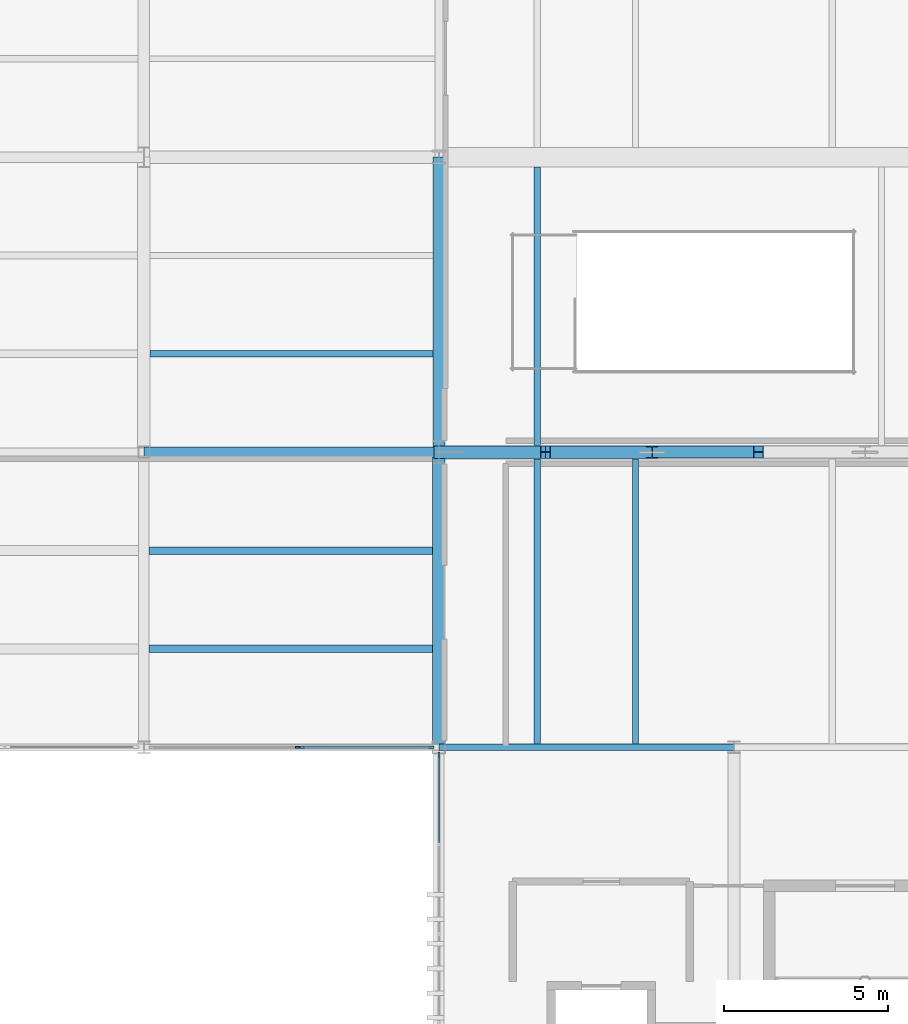
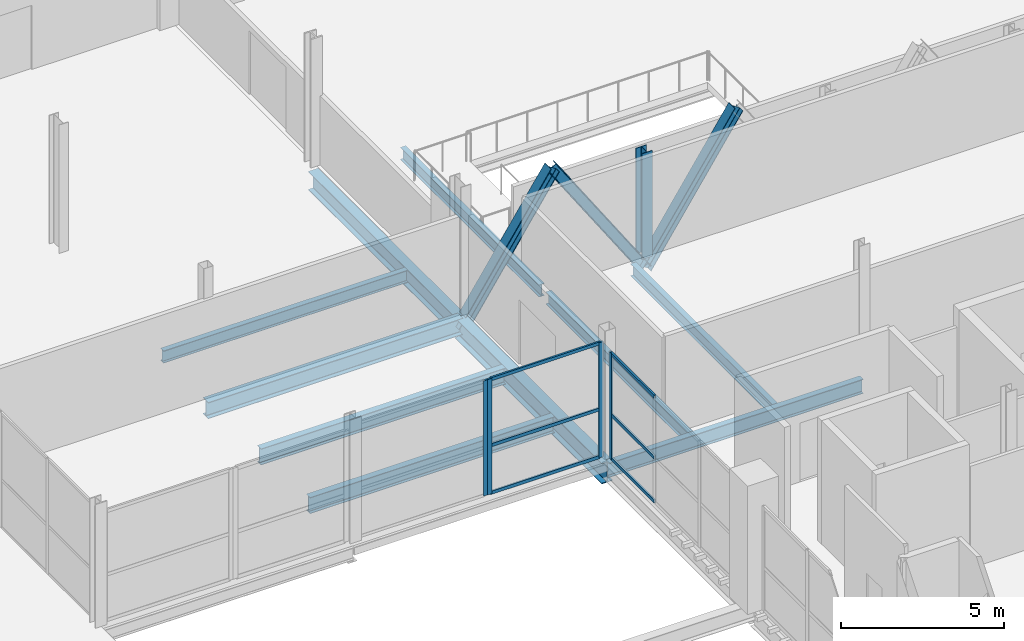
# One storey, part 128 of 224: 14 members, 10 beams, 3 elements without a shape of their own.
"""IFC4 building model written with IfcOpenShell, lengths in metres."""

import ifcopenshell
import ifcopenshell.guid

model = None  # the IFC model being written
_history = None  # IfcOwnerHistory: only IFC2X3 demands one
_inside = {}  # id of a spatial element -> (the spatial element, [elements in it])
_under = {}  # id of a project, library or spatial element -> (it, [spatial elements below it])
_declared = {}  # id of a project -> (the project, [libraries it declares])
_typed = {}  # id of a type object -> (the type object, [elements of that type])
_made_of = {}  # id of a material, layer set ... -> (it, [elements and type objects made of it])


def new_model(schema):
    """Start an empty IFC model of exactly this schema.

    Asked for "IFC4X3", IfcOpenShell would pick the latest addendum, in which some entities
    have other attributes; the version numbers below select the first issue.
    IFC2X3 requires an IfcOwnerHistory on every rooted entity: one is made here for all.
    """
    global model, _history
    if schema == "IFC4X3":
        model = ifcopenshell.file(schema_version=(4, 3, 0, 0))
    else:
        model = ifcopenshell.file(schema=schema)
    _inside.clear()
    _under.clear()
    _declared.clear()
    _typed.clear()
    _made_of.clear()
    _history = None
    if model.schema == "IFC2X3":
        org = make("IfcOrganization", Name="unknown")
        user = make(
            "IfcPersonAndOrganization",
            ThePerson=make("IfcPerson", FamilyName="unknown"),
            TheOrganization=org,
        )
        app = make(
            "IfcApplication",
            ApplicationDeveloper=org,
            Version="unknown",
            ApplicationFullName="unknown",
            ApplicationIdentifier="unknown",
        )
        _history = make(
            "IfcOwnerHistory",
            OwningUser=user,
            OwningApplication=app,
            ChangeAction="ADDED",
            CreationDate=0,
        )
    return model


def make(cls, **values):
    """One entity of the class cls with the attributes given. An attribute that is None is left unset."""
    return model.create_entity(
        cls, **{name: value for name, value in values.items() if value is not None}
    )


def rooted(cls, **values):
    """An entity with a GlobalId (a new one), such as an element, a storey or a relation."""
    return make(cls, GlobalId=ifcopenshell.guid.new(), OwnerHistory=_history, **values)


def si_unit(unit_type, name, prefix=None):
    """IfcSIUnit, for example si_unit("LENGTHUNIT", "METRE", prefix="MILLI")."""
    return make("IfcSIUnit", UnitType=unit_type, Prefix=prefix, Name=name)


def assignment(units):
    """IfcUnitAssignment: the units of a project."""
    return None if units is None else make("IfcUnitAssignment", Units=units)


def point(xyz):
    """IfcCartesianPoint."""
    return None if xyz is None else make("IfcCartesianPoint", Coordinates=xyz)


def direction(xyz):
    """IfcDirection."""
    return None if xyz is None else make("IfcDirection", DirectionRatios=xyz)


def frame(location, z_axis=None, x_axis=None):
    """IfcAxis2Placement3D, a coordinate frame: its origin and axes. An axis left out is left unset."""
    return make(
        "IfcAxis2Placement3D",
        Location=point(location),
        Axis=direction(z_axis),
        RefDirection=direction(x_axis),
    )


def frame_2d(location, x_axis=None):
    """IfcAxis2Placement2D, a coordinate frame in the plane: its origin and x axis."""
    return make(
        "IfcAxis2Placement2D", Location=point(location), RefDirection=direction(x_axis)
    )


def origin():
    """The frame at (0, 0, 0) with its axes left unset."""
    return frame((0.0, 0.0, 0.0))


def origin_2d():
    """The frame at (0, 0) in the plane with its x axis left unset."""
    return frame_2d((0.0, 0.0))


def place(relative_to, where):
    """IfcLocalPlacement: puts the frame where relative to a parent placement (None: the world)."""
    return make(
        "IfcLocalPlacement", PlacementRelTo=relative_to, RelativePlacement=where
    )


def context(
    kind, dimensions, precision=None, world=None, true_north=None, identifier=None
):
    """IfcGeometricRepresentationContext, for example the 3D "Model" context."""
    return make(
        "IfcGeometricRepresentationContext",
        ContextIdentifier=identifier,
        ContextType=kind,
        CoordinateSpaceDimension=dimensions,
        Precision=precision,
        WorldCoordinateSystem=world,
        TrueNorth=true_north,
    )


def subcontext(parent, identifier, kind, view, scale=None):
    """IfcGeometricRepresentationSubContext, for example "Body" below "Model"."""
    return make(
        "IfcGeometricRepresentationSubContext",
        ContextIdentifier=identifier,
        ContextType=kind,
        ParentContext=parent,
        TargetScale=scale,
        TargetView=view,
    )


def project(units=None, contexts=None):
    """IfcProject with its units and contexts."""
    return rooted(
        "IfcProject",
        Name="project",
        RepresentationContexts=contexts,
        UnitsInContext=assignment(units),
    )


def spatial(cls, under=None, at=None, **own):
    """A site, building, storey or space (cls), placed at a placement, below another one or the project."""
    s = rooted(cls, ObjectPlacement=at, **own)
    if under is not None:
        _under.setdefault(under.id(), (under, []))[1].append(s)
    return s


def profile(cls, at=None, kind="AREA", **sizes):
    """A parametric profile (cls). Its sizes go by their IFC names, for example OverallWidth=200.0."""
    return make(cls, ProfileType=kind, Position=at, **sizes)


def rectangle(**sizes):
    """IfcRectangleProfileDef."""
    return profile("IfcRectangleProfileDef", **sizes)


def i_section(**sizes):
    """IfcIShapeProfileDef."""
    return profile("IfcIShapeProfileDef", **sizes)


def extrude(swept, where, along, depth):
    """IfcExtrudedAreaSolid: the profile swept, set in the frame where, extruded along a direction by depth."""
    return make(
        "IfcExtrudedAreaSolid",
        SweptArea=swept,
        Position=where,
        ExtrudedDirection=direction(along),
        Depth=depth,
    )


def shape(context_of_items, identifier, shape_type, items):
    """IfcShapeRepresentation: the items that make up one representation, for example the "Body"."""
    return make(
        "IfcShapeRepresentation",
        ContextOfItems=context_of_items,
        RepresentationIdentifier=identifier,
        RepresentationType=shape_type,
        Items=items,
    )


def material(Name=None, Category=None):
    """IfcMaterial."""
    return make("IfcMaterial", Name=Name, Category=Category)


def layer(
    of_material, thickness, ventilated=None, Name=None, Category=None, Priority=None
):
    """IfcMaterialLayer: one layer of a wall or slab, of a material (None: an air gap)."""
    return make(
        "IfcMaterialLayer",
        Material=of_material,
        LayerThickness=thickness,
        IsVentilated=ventilated,
        Name=Name,
        Category=Category,
        Priority=Priority,
    )


def layer_set(layers, Name=None):
    """IfcMaterialLayerSet."""
    return make("IfcMaterialLayerSet", MaterialLayers=layers, LayerSetName=Name)


def material_profile(
    of_material, cross_section, Name=None, Category=None, Priority=None
):
    """IfcMaterialProfile: a cross section and its material."""
    return make(
        "IfcMaterialProfile",
        Name=Name,
        Material=of_material,
        Profile=cross_section,
        Priority=Priority,
        Category=Category,
    )


def profile_set(profiles, Name=None, composite=None):
    """IfcMaterialProfileSet."""
    return make(
        "IfcMaterialProfileSet",
        Name=Name,
        MaterialProfiles=profiles,
        CompositeProfile=composite,
    )


def made_of(thing, what):
    """Note that an element or type object is made of a material, layer set ...; save() writes the relation."""
    if what is not None:
        _made_of.setdefault(what.id(), (what, []))[1].append(thing)
    return thing


def type_object(cls, material=None, **own):
    """A type object (cls), such as IfcWallType, which elements share."""
    return made_of(rooted(cls, **own), material)


def element(
    cls,
    number,
    at=None,
    inside=None,
    cuts=None,
    type_object=None,
    material=None,
    context=None,
    identifier="Body",
    shape_type=None,
    held_by="IfcProductDefinitionShape",
    body=None,
    shapes=None,
    **own,
):
    """One element of the class cls, such as IfcWall. Its Tag is "e" and its number.

    at: its placement. inside: the storey or other place that contains it. cuts: it is an
    opening in that element (IfcRelVoidsElement). A single representation is given by context,
    identifier, shape_type and body (its items); several are given by shapes. held_by: the class
    of the entity that holds the representations. save() writes the other relations.
    """
    e = rooted(cls, Tag="e%d" % number, ObjectPlacement=at, **own)
    if body is not None:
        shapes = [shape(context, identifier, shape_type, body)]
    if shapes is not None:
        e.Representation = make(held_by, Representations=shapes)
    if inside is not None:
        _inside.setdefault(inside.id(), (inside, []))[1].append(e)
    if cuts is not None:
        rooted(
            "IfcRelVoidsElement", RelatingBuildingElement=cuts, RelatedOpeningElement=e
        )
    if type_object is not None:
        _typed.setdefault(type_object.id(), (type_object, []))[1].append(e)
    return made_of(e, material)


def aggregate(whole, parts):
    """IfcRelAggregates: a whole, such as a stair, and the parts it consists of."""
    return rooted("IfcRelAggregates", RelatingObject=whole, RelatedObjects=parts)


def save(model, path):
    """Write the relations noted so far, then the file.

    IfcRelAggregates (storeys below a building ...), IfcRelContainedInSpatialStructure (elements
    in a storey), IfcRelDefinesByType, IfcRelAssociatesMaterial and IfcRelDeclares: one each for
    every whole, place, type object, material and project.
    """
    for whole, parts in _under.values():
        aggregate(whole, parts)
    for where, things in _inside.values():
        rooted(
            "IfcRelContainedInSpatialStructure",
            RelatedElements=things,
            RelatingStructure=where,
        )
    for kind, things in _typed.values():
        rooted("IfcRelDefinesByType", RelatedObjects=things, RelatingType=kind)
    for what, things in _made_of.values():
        rooted("IfcRelAssociatesMaterial", RelatedObjects=things, RelatingMaterial=what)
    for by, libraries in _declared.values():
        rooted("IfcRelDeclares", RelatingContext=by, RelatedDefinitions=libraries)
    model.write(path)


model = new_model("IFC4")

# Units and contexts
model_context = context("Model", 3, precision=1e-05, world=origin(), true_north=direction((0.0, 1.0)))
body_context = subcontext(model_context, "Body", "Model", "MODEL_VIEW")
ifc_project = project(units=[si_unit("LENGTHUNIT", "METRE"), si_unit("AREAUNIT", "SQUARE_METRE"), si_unit("VOLUMEUNIT", "CUBIC_METRE"), si_unit("PLANEANGLEUNIT", "RADIAN"), si_unit("MASSUNIT", "GRAM", prefix="KILO")], contexts=[model_context])

# Site, building, storey
site_placement = place(None, origin())
site = spatial("IfcSite", under=ifc_project, at=site_placement, CompositionType="ELEMENT")
building_placement = place(site_placement, origin())
building = spatial("IfcBuilding", under=site, at=building_placement, Name="Qamarlyn Nura Convention Centre", CompositionType="ELEMENT")
storey_placement = place(building_placement, frame((0.0, 0.0, 10.800048828125)))
storey = spatial("IfcBuildingStorey", under=building, at=storey_placement, Name="L02", CompositionType="ELEMENT", Elevation=10.800048828125)

# Beams
ifc_material_1 = material(Name="Steel ASTM A992", Category="steel")
ifc_material_profile_1 = material_profile(ifc_material_1, i_section(OverallWidth=0.323974609375, OverallDepth=0.611083984375, WebThickness=0.0126953125, FlangeThickness=0.01904296875, FilletRadius=0.01611328125, at=origin_2d()), Name="W610X155")
ifc_profile_set_1 = profile_set([ifc_material_profile_1], Name="Steel ASTM A992")
beam_type_1 = type_object("IfcBeamType", Name="BM-GIRD-610", PredefinedType="BEAM", material=ifc_profile_set_1)
beam_1_placement = place(storey_placement, frame((144.0, 27.0, -0.5654296875), z_axis=(1.0, 0.0, 0.0), x_axis=(0.0, 1.0, 0.0)))
element("IfcBeam", 1, at=beam_1_placement, inside=storey, type_object=beam_type_1, Name="L02 girder D 12-13", PredefinedType="BEAM", context=body_context, shape_type="SweptSolid", body=[
    extrude(i_section(OverallWidth=0.323974609375, OverallDepth=0.611083984375, WebThickness=0.0126953125, FlangeThickness=0.01904296875, FilletRadius=0.01611328125, at=origin_2d()), origin(), (0.0, 0.0, 1.0), 9.0),
])
ifc_material_profile_2 = material_profile(ifc_material_1, i_section(OverallWidth=0.35498046875, OverallDepth=0.695068359375, WebThickness=0.015380859375, FlangeThickness=0.02490234375, FilletRadius=0.01806640625, at=origin_2d()), Name="W690X217")
ifc_profile_set_2 = profile_set([ifc_material_profile_2], Name="Steel ASTM A992")
beam_type_2 = type_object("IfcBeamType", Name="BM-GIRD-690A", PredefinedType="BEAM", material=ifc_profile_set_2)
beam_2_placement = place(storey_placement, frame((153.0, 27.0, -0.607666015625), z_axis=(0.0, 1.0, 0.0), x_axis=(-1.0, 0.0, 0.0)))
element("IfcBeam", 2, at=beam_2_placement, inside=storey, type_object=beam_type_2, Name="L02 girder 13 D-E", PredefinedType="BEAM", context=body_context, shape_type="SweptSolid", body=[
    extrude(i_section(OverallWidth=0.35498046875, OverallDepth=0.695068359375, WebThickness=0.015380859375, FlangeThickness=0.02490234375, FilletRadius=0.01806640625, at=origin_2d()), origin(), (0.0, 0.0, 1.0), 9.0),
])
ifc_material_profile_3 = material_profile(ifc_material_1, i_section(OverallWidth=0.381103515625, OverallDepth=0.77294921875, WebThickness=0.0166015625, FlangeThickness=0.027587890625, FilletRadius=0.02001953125, at=origin_2d()), Name="W760X257")
ifc_profile_set_3 = profile_set([ifc_material_profile_3], Name="Steel ASTM A992")
beam_type_3 = type_object("IfcBeamType", Name="BM-GIRD-760", PredefinedType="BEAM", material=ifc_profile_set_3)
beam_3_placement = place(storey_placement, frame((153.0, 18.0, -0.646484375), z_axis=(0.0, 1.0, 0.0), x_axis=(-1.0, 0.0, 0.0)))
element("IfcBeam", 3, at=beam_3_placement, inside=storey, type_object=beam_type_3, Name="L02 girder 13 C-D", PredefinedType="BEAM", context=body_context, shape_type="SweptSolid", body=[
    extrude(i_section(OverallWidth=0.381103515625, OverallDepth=0.77294921875, WebThickness=0.0166015625, FlangeThickness=0.027587890625, FilletRadius=0.02001953125, at=origin_2d()), origin(), (0.0, 0.0, 1.0), 9.0),
])
ifc_material_profile_4 = material_profile(ifc_material_1, i_section(OverallWidth=0.18994140625, OverallDepth=0.45703125, WebThickness=0.009033203125, FlangeThickness=0.014404296875, FilletRadius=0.012939453125, at=origin_2d()), Name="W460X74")
ifc_profile_set_4 = profile_set([ifc_material_profile_4], Name="Steel ASTM A992")
beam_type_4 = type_object("IfcBeamType", Name="BM-JOIST-460", PredefinedType="JOIST", material=ifc_profile_set_4)
beam_4_placement = place(storey_placement, frame((144.1904296875, 30.0, -0.488525390625), z_axis=(1.0, 0.0, 0.0), x_axis=(0.0, 1.0, 0.0)))
element("IfcBeam", 4, at=beam_4_placement, inside=storey, type_object=beam_type_4, Name="L02 composite joist 12-13/D+1", PredefinedType="JOIST", context=body_context, shape_type="SweptSolid", body=[
    extrude(i_section(OverallWidth=0.18994140625, OverallDepth=0.45703125, WebThickness=0.009033203125, FlangeThickness=0.014404296875, FilletRadius=0.012939453125, at=origin_2d()), origin(), (0.0, 0.0, 1.0), 8.632080078125),
])
for number, where, z_axis, x_axis, name in (
    (5, (156.0, 18.10546875, -0.488525390625), (0.0, 1.0, 0.0), (-1.0, 0.0, 0.0), "L02 secondary joist 13-14/C-D-02"),
    (6, (159.0, 18.10546875, -0.488525390625), (0.0, 1.0, 0.0), (-1.0, 0.0, 0.0), "L02 secondary joist 13-14/C-D-03"),
):
    element("IfcBeam", number, at=place(storey_placement, frame(where, z_axis=z_axis, x_axis=x_axis)), inside=storey, type_object=beam_type_4, Name=name, PredefinedType="JOIST", context=body_context, shape_type="SweptSolid", body=[
        extrude(i_section(OverallWidth=0.18994140625, OverallDepth=0.45703125, WebThickness=0.009033203125, FlangeThickness=0.014404296875, FilletRadius=0.012939453125, at=origin_2d()), origin(), (0.0, 0.0, 1.0), 8.685546875),
    ])
beam_5_placement = place(storey_placement, frame((156.0, 27.208984375, -0.488525390625), z_axis=(0.0, 1.0, 0.0), x_axis=(-1.0, 0.0, 0.0)))
element("IfcBeam", 7, at=beam_5_placement, inside=storey, type_object=beam_type_4, Name="L02 secondary joist 13-14/D-E-04", PredefinedType="JOIST", context=body_context, shape_type="SweptSolid", body=[
    extrude(i_section(OverallWidth=0.18994140625, OverallDepth=0.45703125, WebThickness=0.009033203125, FlangeThickness=0.014404296875, FilletRadius=0.012939453125, at=origin_2d()), origin(), (0.0, 0.0, 1.0), 8.490966796875),
])
ifc_material_profile_5 = material_profile(ifc_material_1, i_section(OverallWidth=0.22802734375, OverallDepth=0.60791015625, WebThickness=0.01123046875, FlangeThickness=0.017333984375, FilletRadius=0.01611328125, at=origin_2d()), Name="W610X113")
ifc_profile_set_5 = profile_set([ifc_material_profile_5], Name="Steel ASTM A992")
beam_type_5 = type_object("IfcBeamType", Name="BM-JOIST-610", PredefinedType="JOIST", material=ifc_profile_set_5)
for number, where, z_axis, x_axis, name in (
    (8, (144.162109375, 21.0, -0.56396484375), (1.0, 0.0, 0.0), (0.0, 1.0, 0.0), "L02 composite joist 12-13/C+1"),
    (9, (144.162109375, 24.0, -0.56396484375), (1.0, 0.0, 0.0), (0.0, 1.0, 0.0), "L02 composite joist 12-13/C+2"),
):
    element("IfcBeam", number, at=place(storey_placement, frame(where, z_axis=z_axis, x_axis=x_axis)), inside=storey, type_object=beam_type_5, Name=name, PredefinedType="JOIST", context=body_context, shape_type="SweptSolid", body=[
        extrude(i_section(OverallWidth=0.22802734375, OverallDepth=0.60791015625, WebThickness=0.01123046875, FlangeThickness=0.017333984375, FilletRadius=0.01611328125, at=origin_2d()), origin(), (0.0, 0.0, 1.0), 8.6474609375),
    ])
ifc_material_profile_6 = material_profile(ifc_material_1, i_section(OverallWidth=0.2109375, OverallDepth=0.5390625, WebThickness=0.01171875, FlangeThickness=0.018798828125, FilletRadius=0.013916015625, at=origin_2d()), Name="W530X109")
ifc_profile_set_6 = profile_set([ifc_material_profile_6], Name="Steel ASTM A992")
beam_type_6 = type_object("IfcBeamType", Name="BM-SPAN-530", PredefinedType="SPANDREL", material=ifc_profile_set_6)
beam_6_placement = place(storey_placement, frame((153.0, 18.0, -0.529541015625), z_axis=(1.0, 0.0, 0.0), x_axis=(0.0, 1.0, 0.0)))
element("IfcBeam", 10, at=beam_6_placement, inside=storey, type_object=beam_type_6, Name="L02 girder C 13-14", PredefinedType="SPANDREL", context=body_context, shape_type="SweptSolid", body=[
    extrude(i_section(OverallWidth=0.2109375, OverallDepth=0.5390625, WebThickness=0.01171875, FlangeThickness=0.018798828125, FilletRadius=0.013916015625, at=origin_2d()), origin(), (0.0, 0.0, 1.0), 9.0),
])

# Curtain wall, member
ifc_material_2 = material(Name="Double-silver low-E insulated glass", Category="glass")
ifc_layer_1 = layer(ifc_material_2, 0.179931640625, Name="CW-UNIT-104")
ifc_layer_set_1 = layer_set([ifc_layer_1], Name="Double-silver low-E insulated glass")
curtain_wall_type_1 = type_object("IfcCurtainWallType", Name="CW-UNIT-104", PredefinedType="NOTDEFINED", material=ifc_layer_set_1)
curtain_wall_1_placement = place(storey_placement, origin())
curtain_wall_1 = element("IfcCurtainWall", 11, at=curtain_wall_1_placement, inside=storey, type_object=curtain_wall_type_1, Name="L02 unitised curtain wall BLW-SE-1B", PredefinedType="NOTDEFINED")
ifc_material_3 = material(Name="Champagne-anodised marine aluminium", Category="aluminium")
ifc_material_profile_7 = material_profile(ifc_material_3, rectangle(XDim=0.06005859375, YDim=0.139892578125, at=origin_2d()), Name="ALU MULLION 60x140")
ifc_profile_set_7 = profile_set([ifc_material_profile_7], Name="Champagne-anodised marine aluminium")
member_type_1 = type_object("IfcMemberType", Name="CWM-140", PredefinedType="MULLION", material=ifc_profile_set_7)
member_1_placement = place(storey_placement, frame((148.687744140625, 18.0, 0.0), z_axis=(0.0, 0.0, 1.0), x_axis=(0.0, -1.0, 0.0)))
member_1 = element("IfcMember", 12, at=member_1_placement, type_object=member_type_1, Name="CW104 mullion 1", PredefinedType="MULLION", context=body_context, shape_type="SweptSolid", body=[
    extrude(rectangle(XDim=0.06005859375, YDim=0.139892578125, at=origin_2d()), origin(), (0.0, 0.0, 1.0), 4.31005859375),
])
aggregate(curtain_wall_1, [member_1])

ifc_layer_2 = layer(ifc_material_2, 0.179931640625, Name="CW-UNIT-101")
ifc_layer_set_2 = layer_set([ifc_layer_2], Name="Double-silver low-E insulated glass")
curtain_wall_type_2 = type_object("IfcCurtainWallType", Name="CW-UNIT-101", PredefinedType="NOTDEFINED", material=ifc_layer_set_2)
curtain_wall_2_placement = place(storey_placement, origin())
curtain_wall_2 = element("IfcCurtainWall", 13, at=curtain_wall_2_placement, inside=storey, type_object=curtain_wall_type_2, Name="L02 unitised curtain wall FCW-9-1", PredefinedType="NOTDEFINED")
ifc_material_profile_8 = material_profile(ifc_material_3, rectangle(XDim=0.06494140625, YDim=0.159912109375, at=origin_2d()), Name="ALU MULLION 65x160")
ifc_profile_set_8 = profile_set([ifc_material_profile_8], Name="Champagne-anodised marine aluminium")
member_type_2 = type_object("IfcMemberType", Name="CWM-160", PredefinedType="MULLION", material=ifc_profile_set_8)
member_2_placement = place(storey_placement, frame((153.0, 17.767578125, 0.0), z_axis=(0.0, 0.0, 1.0), x_axis=(-1.0, 0.0, 0.0)))
member_2 = element("IfcMember", 14, at=member_2_placement, type_object=member_type_2, Name="CW101 mullion 4", PredefinedType="MULLION", context=body_context, shape_type="SweptSolid", body=[
    extrude(rectangle(XDim=0.06494140625, YDim=0.159912109375, at=origin_2d()), origin(), (0.0, 0.0, 1.0), 3.973876953125),
])

# Curtain wall, members
ifc_layer_3 = layer(ifc_material_2, 0.179931640625, Name="CW-UNIT-103")
ifc_layer_set_3 = layer_set([ifc_layer_3], Name="Double-silver low-E insulated glass")
curtain_wall_type_3 = type_object("IfcCurtainWallType", Name="CW-UNIT-103", PredefinedType="NOTDEFINED", material=ifc_layer_set_3)
curtain_wall_3_placement = place(storey_placement, origin())
curtain_wall_3 = element("IfcCurtainWall", 15, at=curtain_wall_3_placement, inside=storey, type_object=curtain_wall_type_3, Name="L02 unitised curtain wall BLW-SE-1A", PredefinedType="NOTDEFINED")
member_3_placement = place(storey_placement, frame((152.767578125, 18.0, 0.0), z_axis=(0.0, 0.0, 1.0), x_axis=(0.0, -1.0, 0.0)))
member_3 = element("IfcMember", 16, at=member_3_placement, type_object=member_type_2, Name="CW103 mullion 1", PredefinedType="MULLION", context=body_context, shape_type="SweptSolid", body=[
    extrude(rectangle(XDim=0.06494140625, YDim=0.159912109375, at=origin_2d()), origin(), (0.0, 0.0, 1.0), 4.31005859375),
])
member_4_placement = place(storey_placement, frame((148.830322265625, 18.0, 0.0), z_axis=(0.0, 0.0, 1.0), x_axis=(0.0, -1.0, 0.0)))
member_4 = element("IfcMember", 17, at=member_4_placement, type_object=member_type_2, Name="CW103 mullion 2", PredefinedType="MULLION", context=body_context, shape_type="SweptSolid", body=[
    extrude(rectangle(XDim=0.06494140625, YDim=0.159912109375, at=origin_2d()), origin(), (0.0, 0.0, 1.0), 4.31005859375),
])

# Member
ifc_material_profile_9 = material_profile(ifc_material_3, rectangle(XDim=0.06494140625, YDim=0.1201171875, at=origin_2d()), Name="ALU TRANSOM 65x120")
ifc_profile_set_9 = profile_set([ifc_material_profile_9], Name="Champagne-anodised marine aluminium")
member_type_3 = type_object("IfcMemberType", Name="CWT-120", PredefinedType="USERDEFINED", material=ifc_profile_set_9)
member_5_placement = place(storey_placement, frame((153.0, 15.08251953125, 0.032470703125), z_axis=(0.0, 1.0, 0.0), x_axis=(-1.0, 0.0, 0.0)))
member_5 = element("IfcMember", 18, at=member_5_placement, type_object=member_type_3, Name="CW101 transom 3.1", ObjectType="TRANSOM", PredefinedType="USERDEFINED", context=body_context, shape_type="SweptSolid", body=[
    extrude(rectangle(XDim=0.06494140625, YDim=0.1201171875, at=origin_2d()), origin(), (0.0, 0.0, 1.0), 2.652587890625),
])

member_6_placement = place(storey_placement, frame((153.0, 15.08251953125, 1.6689453125), z_axis=(0.0, 1.0, 0.0), x_axis=(-1.0, 0.0, 0.0)))
member_6 = element("IfcMember", 19, at=member_6_placement, type_object=member_type_3, Name="CW101 transom 3.2", ObjectType="TRANSOM", PredefinedType="USERDEFINED", context=body_context, shape_type="SweptSolid", body=[
    extrude(rectangle(XDim=0.06494140625, YDim=0.1201171875, at=origin_2d()), origin(), (0.0, 0.0, 1.0), 2.652587890625),
])

member_7_placement = place(storey_placement, frame((153.0, 15.08251953125, 3.94140625), z_axis=(0.0, 1.0, 0.0), x_axis=(-1.0, 0.0, 0.0)))
member_7 = element("IfcMember", 20, at=member_7_placement, type_object=member_type_3, Name="CW101 transom 3.3", ObjectType="TRANSOM", PredefinedType="USERDEFINED", context=body_context, shape_type="SweptSolid", body=[
    extrude(rectangle(XDim=0.06494140625, YDim=0.1201171875, at=origin_2d()), origin(), (0.0, 0.0, 1.0), 2.652587890625),
])

aggregate(curtain_wall_2, [member_2, member_5, member_6, member_7])

member_8_placement = place(storey_placement, frame((152.735107421875, 18.0, 0.032470703125), z_axis=(-1.0, 0.0, 0.0), x_axis=(0.0, -1.0, 0.0)))
member_8 = element("IfcMember", 21, at=member_8_placement, type_object=member_type_3, Name="CW103 transom 1.1", ObjectType="TRANSOM", PredefinedType="USERDEFINED", context=body_context, shape_type="SweptSolid", body=[
    extrude(rectangle(XDim=0.06494140625, YDim=0.1201171875, at=origin_2d()), origin(), (0.0, 0.0, 1.0), 3.872314453125),
])

member_9_placement = place(storey_placement, frame((152.735107421875, 18.0, 1.81005859375), z_axis=(-1.0, 0.0, 0.0), x_axis=(0.0, -1.0, 0.0)))
member_9 = element("IfcMember", 22, at=member_9_placement, type_object=member_type_3, Name="CW103 transom 1.2", ObjectType="TRANSOM", PredefinedType="USERDEFINED", context=body_context, shape_type="SweptSolid", body=[
    extrude(rectangle(XDim=0.06494140625, YDim=0.1201171875, at=origin_2d()), origin(), (0.0, 0.0, 1.0), 3.872314453125),
])

member_10_placement = place(storey_placement, frame((152.735107421875, 18.0, 4.27734375), z_axis=(-1.0, 0.0, 0.0), x_axis=(0.0, -1.0, 0.0)))
member_10 = element("IfcMember", 23, at=member_10_placement, type_object=member_type_3, Name="CW103 transom 1.3", ObjectType="TRANSOM", PredefinedType="USERDEFINED", context=body_context, shape_type="SweptSolid", body=[
    extrude(rectangle(XDim=0.06494140625, YDim=0.1201171875, at=origin_2d()), origin(), (0.0, 0.0, 1.0), 3.872314453125),
])

aggregate(curtain_wall_3, [member_3, member_4, member_8, member_9, member_10])

# Members
ifc_material_profile_10 = material_profile(ifc_material_1, i_section(OverallWidth=0.3740234375, OverallDepth=0.3720703125, WebThickness=0.016357421875, FlangeThickness=0.026123046875, FilletRadius=0.01611328125, at=origin_2d()), Name="W360X196")
ifc_profile_set_10 = profile_set([ifc_material_profile_10], Name="Steel ASTM A992")
member_type_4 = type_object("IfcMemberType", Name="TT-DIAG-01", PredefinedType="BRACE", material=ifc_profile_set_10)
for number, where, z_axis, x_axis, name in (
    (24, (153.0, 27.0, -0.716064453125), (0.555875275564, 0.0, 0.831265708433), (0.0, 1.0, 0.0), "Warren transfer structure diagonal D-1A"),
    (25, (156.25, 27.0, 4.14404296875), (0.555875275564, 0.0, -0.831265708433), (0.0, 1.0, 0.0), "Warren transfer structure diagonal D-1B"),
):
    element("IfcMember", number, at=place(storey_placement, frame(where, z_axis=z_axis, x_axis=x_axis)), inside=storey, type_object=member_type_4, Name=name, PredefinedType="BRACE", context=body_context, shape_type="SweptSolid", body=[
        extrude(i_section(OverallWidth=0.3740234375, OverallDepth=0.3720703125, WebThickness=0.016357421875, FlangeThickness=0.026123046875, FilletRadius=0.01611328125, at=origin_2d()), origin(), (0.0, 0.0, 1.0), 5.8466796875),
    ])
ifc_material_profile_11 = material_profile(ifc_material_1, i_section(OverallWidth=0.368896484375, OverallDepth=0.35595703125, WebThickness=0.01123046875, FlangeThickness=0.01806640625, FilletRadius=0.014892578125, at=origin_2d()), Name="W360X134")
ifc_profile_set_11 = profile_set([ifc_material_profile_11], Name="Steel ASTM A992")
member_type_5 = type_object("IfcMemberType", Name="TT-DIAG-02", PredefinedType="BRACE", material=ifc_profile_set_11)
member_11_placement = place(storey_placement, frame((159.5, 27.0, -0.716064453125), z_axis=(0.555875275564, 0.0, 0.831265708433), x_axis=(0.0, 1.0, 0.0)))
element("IfcMember", 26, at=member_11_placement, inside=storey, type_object=member_type_5, Name="Warren transfer structure diagonal D-2A", PredefinedType="BRACE", context=body_context, shape_type="SweptSolid", body=[
    extrude(i_section(OverallWidth=0.368896484375, OverallDepth=0.35595703125, WebThickness=0.01123046875, FlangeThickness=0.01806640625, FilletRadius=0.014892578125, at=origin_2d()), origin(), (0.0, 0.0, 1.0), 5.8466796875),
])
ifc_material_profile_12 = material_profile(ifc_material_1, i_section(OverallWidth=0.3740234375, OverallDepth=0.3720703125, WebThickness=0.016357421875, FlangeThickness=0.026123046875, FilletRadius=0.01611328125, at=origin_2d()), Name="W360X196")
ifc_profile_set_12 = profile_set([ifc_material_profile_12], Name="Steel ASTM A992")
member_type_6 = type_object("IfcMemberType", Name="TT-VERT-01", PredefinedType="BRACE", material=ifc_profile_set_12)
member_12_placement = place(storey_placement, frame((159.5, 27.0, -0.260009765625), z_axis=(0.0, 0.0, 1.0), x_axis=(1.0, 0.0, 0.0)))
element("IfcMember", 27, at=member_12_placement, inside=storey, type_object=member_type_6, Name="Warren transfer truss vertical hanger D-1", PredefinedType="BRACE", context=body_context, shape_type="SweptSolid", body=[
    extrude(i_section(OverallWidth=0.3740234375, OverallDepth=0.3720703125, WebThickness=0.016357421875, FlangeThickness=0.026123046875, FilletRadius=0.01611328125, at=origin_2d()), origin(), (0.0, 0.0, 1.0), 3.947998046875),
])

save(model, "model.ifc")
